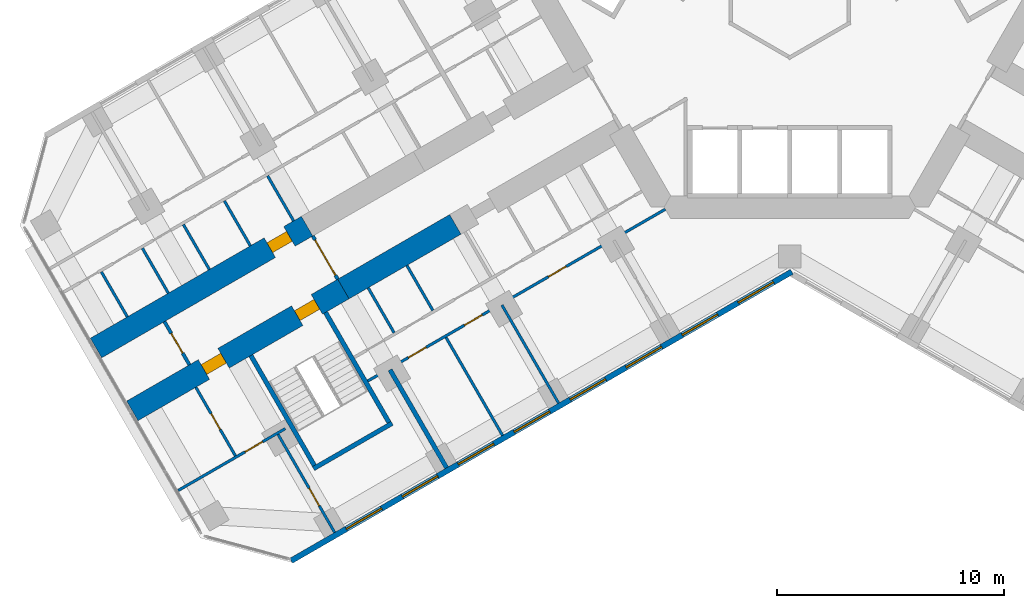
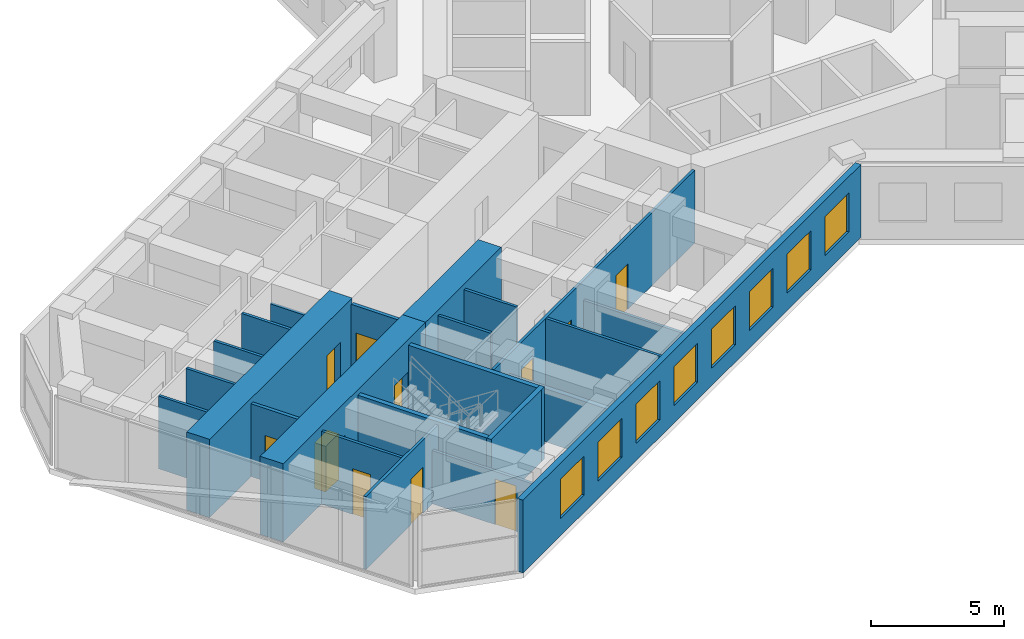
# One storey, part 10 of 21: 23 walls, 11 doors, 8 windows, 19 openings.
"""IFC4 building model written with IfcOpenShell, lengths in metres."""

from ifc_helpers import new_model, si_unit, direction, frame, frame_2d, origin, place, context, subcontext, project, spatial, rectangle, extrude, material, layer, layer_set, type_object, element, fill, save


model = new_model("IFC4")

# Units and contexts
model_context = context("Model", 3, precision=1e-05, world=origin(), true_north=direction((0.0, 1.0)))
body_context = subcontext(model_context, "Body", "Model", "MODEL_VIEW")
ifc_project = project(units=[si_unit("LENGTHUNIT", "METRE"), si_unit("AREAUNIT", "SQUARE_METRE"), si_unit("VOLUMEUNIT", "CUBIC_METRE"), si_unit("PLANEANGLEUNIT", "RADIAN"), si_unit("MASSUNIT", "GRAM", prefix="KILO")], contexts=[model_context])

# Site, building, storey
site_placement = place(None, origin())
site = spatial("IfcSite", under=ifc_project, at=site_placement, CompositionType="ELEMENT")
building_placement = place(site_placement, origin())
building = spatial("IfcBuilding", under=site, at=building_placement, Name="Kosmar Iwan School Tower", CompositionType="ELEMENT")
storey_placement = place(building_placement, frame((0.0, 0.0, 46.60009765625)))
storey = spatial("IfcBuildingStorey", under=building, at=storey_placement, Name="L10", CompositionType="ELEMENT", Elevation=46.60009765625)

# Wall
ifc_material_1 = material(Name="Concrete C50/60", Category="concrete")
ifc_layer_1 = layer(ifc_material_1, 1.0)
ifc_layer_set_1 = layer_set([ifc_layer_1], Name="Corridor buttress wall 1000")
wall_type_1 = type_object("IfcWallType", Name="Corridor buttress wall 1000", PredefinedType="SHEAR", material=ifc_layer_set_1)
wall_1_placement = place(storey_placement, frame((-14.7451171875, -10.360595703125, 0.0), z_axis=(0.0, 0.0, 1.0), x_axis=(-0.866015111908, -0.50001782563, 0.0)))
element("IfcWall", 1, at=wall_1_placement, inside=storey, type_object=wall_type_1, Name="Corridor wall BL bay 2", PredefinedType="SHEAR", context=body_context, shape_type="SweptSolid", body=[
    extrude(rectangle(XDim=5.699951171875, YDim=1.0, at=frame_2d((2.85009765625, 0.0))), origin(), (0.0, 0.0, 1.0), 3.599853515625),
])

# Wall, openings, doors
wall_2_placement = place(storey_placement, frame((-19.681396484375, -13.210693359375, 0.0), z_axis=(0.0, 0.0, 1.0), x_axis=(-0.866028186671, -0.499995179869, 0.0)))
wall_2 = element("IfcWall", 2, at=wall_2_placement, inside=storey, type_object=wall_type_1, Name="Corridor wall BL bay 3", PredefinedType="SHEAR", context=body_context, shape_type="SweptSolid", body=[
    extrude(rectangle(XDim=10.7451171875, YDim=1.0, at=frame_2d((5.37255859375, 0.0))), origin(), (0.0, 0.0, 1.0), 3.599853515625),
])
opening_1_placement = place(wall_2_placement, frame((6.10009765625, 0.0, 0.0)))
opening_1 = element("IfcOpeningElement", 3, at=opening_1_placement, cuts=wall_2, Name="Opening D1", PredefinedType="OPENING", context=body_context, shape_type="SweptSolid", body=[
    extrude(rectangle(XDim=1.0, YDim=2.10009765625, at=frame_2d((0.5, 1.050048828125))), frame((0.0, 0.511962890625, 0.0), z_axis=(0.0, -1.0, 0.0), x_axis=(1.0, 0.0, 0.0)), (0.0, 0.0, 1.0), 1.02392578125),
])
opening_2_placement = place(wall_2_placement, frame((1.35009765625, 0.0, 0.0)))
opening_2 = element("IfcOpeningElement", 4, at=opening_2_placement, cuts=wall_2, Name="Opening D6", PredefinedType="OPENING", context=body_context, shape_type="SweptSolid", body=[
    extrude(rectangle(XDim=1.0, YDim=2.10009765625, at=frame_2d((0.5, 1.050048828125))), frame((0.0, 0.511962890625, 0.0), z_axis=(0.0, -1.0, 0.0), x_axis=(1.0, 0.0, 0.0)), (0.0, 0.0, 1.0), 1.02392578125),
])
ifc_material_2 = material(Name="Timber fire door in steel frame", Category="steel")
door_type_1 = type_object("IfcDoorType", Name="Flat entrance door 1000x2100", OperationType="SINGLE_SWING_LEFT", PredefinedType="DOOR", material=ifc_material_2)
door_1_placement = place(opening_1_placement, origin())
door_1 = element("IfcDoor", 5, at=door_1_placement, inside=storey, type_object=door_type_1, Name="Flat L10-BL2 entrance door", OperationType="SINGLE_SWING_RIGHT", OverallHeight=2.10009765625, OverallWidth=1.0, PredefinedType="DOOR", context=body_context, shape_type="SweptSolid", body=[
    extrude(rectangle(XDim=1.0, YDim=2.10009765625, at=frame_2d((0.5, 1.050048828125))), frame((0.0, 0.25, 0.0), z_axis=(0.0, -1.0, 0.0), x_axis=(1.0, 0.0, 0.0)), (0.0, 0.0, 1.0), 0.5),
])
fill(opening_1, door_1)
ifc_material_3 = material(Name="Steel fire door", Category="steel")
door_type_2 = type_object("IfcDoorType", Name="Stair door 1000x2100", OperationType="SINGLE_SWING_LEFT", PredefinedType="DOOR", material=ifc_material_3)
door_2_placement = place(opening_2_placement, origin())
door_2 = element("IfcDoor", 6, at=door_2_placement, inside=storey, type_object=door_type_2, Name="Stair WS2 door L10", OperationType="SINGLE_SWING_LEFT", OverallHeight=2.10009765625, OverallWidth=1.0, PredefinedType="DOOR", context=body_context, shape_type="SweptSolid", body=[
    extrude(rectangle(XDim=1.0, YDim=2.10009765625, at=frame_2d((0.5, 1.050048828125))), frame((0.0, 0.25, 0.0), z_axis=(0.0, -1.0, 0.0), x_axis=(1.0, 0.0, 0.0)), (0.0, 0.0, 1.0), 0.5),
])
fill(opening_2, door_2)

# Wall, opening, door
wall_3_placement = place(storey_placement, frame((-21.281494140625, -10.439453125, 0.0), z_axis=(0.0, 0.0, 1.0), x_axis=(-0.866032345022, -0.499987977232, 0.0)))
wall_3 = element("IfcWall", 7, at=wall_3_placement, inside=storey, type_object=wall_type_1, Name="Corridor wall BR bay 3", PredefinedType="SHEAR", context=body_context, shape_type="SweptSolid", body=[
    extrude(rectangle(XDim=10.744873046875, YDim=1.0, at=frame_2d((5.37255859375, 0.0))), origin(), (0.0, 0.0, 1.0), 3.599853515625),
])
opening_3_placement = place(wall_3_placement, frame((0.89990234375, 0.0, 0.0)))
opening_3 = element("IfcOpeningElement", 8, at=opening_3_placement, cuts=wall_3, Name="Opening D1", PredefinedType="OPENING", context=body_context, shape_type="SweptSolid", body=[
    extrude(rectangle(XDim=1.0, YDim=2.10009765625, at=frame_2d((0.5, 1.050048828125))), frame((0.0, 0.511962890625, 0.0), z_axis=(0.0, -1.0, 0.0), x_axis=(1.0, 0.0, 0.0)), (0.0, 0.0, 1.0), 1.02392578125),
])
door_3_placement = place(opening_3_placement, origin())
door_3 = element("IfcDoor", 9, at=door_3_placement, inside=storey, type_object=door_type_1, Name="Flat L10-BR2 entrance door", OperationType="SINGLE_SWING_LEFT", OverallHeight=2.10009765625, OverallWidth=1.0, PredefinedType="DOOR", context=body_context, shape_type="SweptSolid", body=[
    extrude(rectangle(XDim=1.0, YDim=2.10009765625, at=frame_2d((0.5, 1.050048828125))), frame((0.0, 0.25, 0.0), z_axis=(0.0, -1.0, 0.0), x_axis=(1.0, 0.0, 0.0)), (0.0, 0.0, 1.0), 0.5),
])
fill(opening_3, door_3)

ifc_material_4 = material(Name="Gypsum board on steel studs, fire-rated", Category="steel")
ifc_layer_2 = layer(ifc_material_4, 0.14990234375)
ifc_layer_set_2 = layer_set([ifc_layer_2], Name="Corridor end wall 150")
wall_type_2 = type_object("IfcWallType", Name="Corridor end wall 150", PredefinedType="PARTITIONING", material=ifc_layer_set_2)
wall_4_placement = place(storey_placement, frame((-27.570068359375, -14.6474609375, 0.0), z_axis=(0.0, 0.0, 1.0), x_axis=(0.50002983664, -0.866008176907, 0.0)))
wall_4 = element("IfcWall", 10, at=wall_4_placement, inside=storey, type_object=wall_type_2, Name="Partition L10-B-CE", PredefinedType="PARTITIONING", context=body_context, shape_type="SweptSolid", body=[
    extrude(rectangle(XDim=2.199951171875, YDim=0.14990234375, at=frame_2d((1.10009765625, 0.0))), origin(), (0.0, 0.0, 1.0), 3.349853515625),
])
opening_4_placement = place(wall_4_placement, frame((0.60009765625, 0.0, 0.0)))
opening_4 = element("IfcOpeningElement", 11, at=opening_4_placement, cuts=wall_4, Name="Opening D13", PredefinedType="OPENING", context=body_context, shape_type="SweptSolid", body=[
    extrude(rectangle(XDim=1.0, YDim=2.10009765625, at=frame_2d((0.5, 1.050048828125))), frame((0.0, 0.0869140625, 0.0), z_axis=(0.0, -1.0, 0.0), x_axis=(1.0, 0.0, 0.0)), (0.0, 0.0, 1.0), 0.173828125),
])
ifc_material_5 = material(Name="Timber fire door with vision panel", Category="wood")
door_type_3 = type_object("IfcDoorType", Name="Corridor end door 1000x2100", OperationType="SINGLE_SWING_LEFT", PredefinedType="DOOR", material=ifc_material_5)
door_4_placement = place(opening_4_placement, origin())
door_4 = element("IfcDoor", 12, at=door_4_placement, inside=storey, type_object=door_type_3, Name="Children's play room door L10-B", OperationType="SINGLE_SWING_LEFT", OverallHeight=2.10009765625, OverallWidth=1.0, PredefinedType="DOOR", context=body_context, shape_type="SweptSolid", body=[
    extrude(rectangle(XDim=1.0, YDim=2.10009765625, at=frame_2d((0.5, 1.050048828125))), frame((0.0, 0.02490234375, 0.0), z_axis=(0.0, -1.0, 0.0), x_axis=(1.0, 0.0, 0.0)), (0.0, 0.0, 1.0), 0.050048828125),
])
fill(opening_4, door_4)

wall_5_placement = place(storey_placement, frame((-21.031494140625, -10.872314453125, 0.0), z_axis=(0.0, 0.0, 1.0), x_axis=(0.50002983664, -0.866008176907, 0.0)))
wall_5 = element("IfcWall", 13, at=wall_5_placement, inside=storey, type_object=wall_type_2, Name="Partition L10-B-HW", PredefinedType="PARTITIONING", context=body_context, shape_type="SweptSolid", body=[
    extrude(rectangle(XDim=2.199951171875, YDim=0.14990234375, at=frame_2d((1.10009765625, 0.0))), origin(), (0.0, 0.0, 1.0), 3.349853515625),
])
opening_5_placement = place(wall_5_placement, frame((0.199951171875, 0.0, 0.0)))
opening_5 = element("IfcOpeningElement", 14, at=opening_5_placement, cuts=wall_5, Name="Opening D9", PredefinedType="OPENING", context=body_context, shape_type="SweptSolid", body=[
    extrude(rectangle(XDim=1.800048828125, YDim=2.10009765625, at=frame_2d((0.89990234375, 1.050048828125))), frame((0.0, 0.0869140625, 0.0), z_axis=(0.0, -1.0, 0.0), x_axis=(1.0, 0.0, 0.0)), (0.0, 0.0, 1.0), 0.173828125),
])
ifc_material_6 = material(Name="Steel framed glazed smoke door", Category="steel")
door_type_4 = type_object("IfcDoorType", Name="Corridor smoke door pair 1800x2100", OperationType="DOUBLE_DOOR_DOUBLE_SWING", PredefinedType="DOOR", material=ifc_material_6)
door_5_placement = place(opening_5_placement, origin())
door_5 = element("IfcDoor", 15, at=door_5_placement, inside=storey, type_object=door_type_4, Name="Entrance vestibule smoke doors L10-B", OperationType="DOUBLE_DOOR_DOUBLE_SWING", OverallHeight=2.10009765625, OverallWidth=1.800048828125, PredefinedType="DOOR", context=body_context, shape_type="SweptSolid", body=[
    extrude(rectangle(XDim=1.800048828125, YDim=2.10009765625, at=frame_2d((0.89990234375, 1.050048828125))), frame((0.0, 0.02490234375, 0.0), z_axis=(0.0, -1.0, 0.0), x_axis=(1.0, 0.0, 0.0)), (0.0, 0.0, 1.0), 0.050048828125),
])
fill(opening_5, door_5)

# Wall, openings, doors
ifc_material_7 = material(Name="Gypsum board on steel studs", Category="steel")
ifc_layer_3 = layer(ifc_material_7, 0.1201171875)
ifc_layer_set_3 = layer_set([ifc_layer_3], Name="Dwelling partition 120")
wall_type_3 = type_object("IfcWallType", Name="Dwelling partition 120", PredefinedType="PARTITIONING", material=ifc_layer_set_3)
wall_6_placement = place(storey_placement, frame((-5.48876953125, -9.693115234375, 0.0), z_axis=(0.0, 0.0, 1.0), x_axis=(-0.866028061085, -0.499995397393, 0.0)))
wall_6 = element("IfcWall", 16, at=wall_6_placement, inside=storey, type_object=wall_type_3, Name="Partition L10-BL1-W2", PredefinedType="PARTITIONING", context=body_context, shape_type="SweptSolid", body=[
    extrude(rectangle(XDim=15.150146484375, YDim=0.1201171875, at=frame_2d((7.5751953125, 0.0))), origin(), (0.0, 0.0, 1.0), 3.349853515625),
])
opening_6_placement = place(wall_6_placement, frame((5.050048828125, 0.0, 0.0)))
opening_6 = element("IfcOpeningElement", 17, at=opening_6_placement, cuts=wall_6, Name="Opening D2", PredefinedType="OPENING", context=body_context, shape_type="SweptSolid", body=[
    extrude(rectangle(XDim=0.89990234375, YDim=2.10009765625, at=frame_2d((0.449951171875, 1.050048828125))), frame((0.0, 0.072021484375, 0.0), z_axis=(0.0, -1.0, 0.0), x_axis=(1.0, 0.0, 0.0)), (0.0, 0.0, 1.0), 0.14404296875),
])
opening_7_placement = place(wall_6_placement, frame((9.324951171875, 0.0, 0.0)))
opening_7 = element("IfcOpeningElement", 18, at=opening_7_placement, cuts=wall_6, Name="Opening D2", PredefinedType="OPENING", context=body_context, shape_type="SweptSolid", body=[
    extrude(rectangle(XDim=0.89990234375, YDim=2.10009765625, at=frame_2d((0.449951171875, 1.050048828125))), frame((0.0, 0.072021484375, 0.0), z_axis=(0.0, -1.0, 0.0), x_axis=(1.0, 0.0, 0.0)), (0.0, 0.0, 1.0), 0.14404296875),
])
opening_8_placement = place(wall_6_placement, frame((12.175048828125, 0.0, 0.0)))
opening_8 = element("IfcOpeningElement", 19, at=opening_8_placement, cuts=wall_6, Name="Opening D2", PredefinedType="OPENING", context=body_context, shape_type="SweptSolid", body=[
    extrude(rectangle(XDim=0.89990234375, YDim=2.10009765625, at=frame_2d((0.449951171875, 1.050048828125))), frame((0.0, 0.072021484375, 0.0), z_axis=(0.0, -1.0, 0.0), x_axis=(1.0, 0.0, 0.0)), (0.0, 0.0, 1.0), 0.14404296875),
])
ifc_material_8 = material(Name="Timber door in timber frame", Category="wood")
door_type_5 = type_object("IfcDoorType", Name="Internal door 900x2100", OperationType="SINGLE_SWING_LEFT", PredefinedType="DOOR", material=ifc_material_8)
door_6_placement = place(opening_6_placement, origin())
door_6 = element("IfcDoor", 20, at=door_6_placement, inside=storey, type_object=door_type_5, Name="Living room door L10-BL1-F2", OperationType="SINGLE_SWING_LEFT", OverallHeight=2.10009765625, OverallWidth=0.89990234375, PredefinedType="DOOR", context=body_context, shape_type="SweptSolid", body=[
    extrude(rectangle(XDim=0.89990234375, YDim=2.10009765625, at=frame_2d((0.449951171875, 1.050048828125))), frame((0.0, 0.02490234375, 0.0), z_axis=(0.0, -1.0, 0.0), x_axis=(1.0, 0.0, 0.0)), (0.0, 0.0, 1.0), 0.050048828125),
])
fill(opening_6, door_6)
door_7_placement = place(opening_7_placement, origin())
door_7 = element("IfcDoor", 21, at=door_7_placement, inside=storey, type_object=door_type_5, Name="Bedroom 1 door L10-BL1-F3", OperationType="SINGLE_SWING_RIGHT", OverallHeight=2.10009765625, OverallWidth=0.89990234375, PredefinedType="DOOR", context=body_context, shape_type="SweptSolid", body=[
    extrude(rectangle(XDim=0.89990234375, YDim=2.10009765625, at=frame_2d((0.449951171875, 1.050048828125))), frame((0.0, 0.02490234375, 0.0), z_axis=(0.0, -1.0, 0.0), x_axis=(1.0, 0.0, 0.0)), (0.0, 0.0, 1.0), 0.050048828125),
])
fill(opening_7, door_7)
door_8_placement = place(opening_8_placement, origin())
door_8 = element("IfcDoor", 22, at=door_8_placement, inside=storey, type_object=door_type_5, Name="Study door L10-BL1-F4", OperationType="SINGLE_SWING_LEFT", OverallHeight=2.10009765625, OverallWidth=0.89990234375, PredefinedType="DOOR", context=body_context, shape_type="SweptSolid", body=[
    extrude(rectangle(XDim=0.89990234375, YDim=2.10009765625, at=frame_2d((0.449951171875, 1.050048828125))), frame((0.0, 0.02490234375, 0.0), z_axis=(0.0, -1.0, 0.0), x_axis=(1.0, 0.0, 0.0)), (0.0, 0.0, 1.0), 0.050048828125),
])
fill(opening_8, door_8)

# Walls
wall_7_placement = place(storey_placement, frame((-12.690185546875, -13.919921875, 0.0), z_axis=(0.0, 0.0, 1.0), x_axis=(0.500011847778, -0.866018563358, 0.0)))
element("IfcWall", 23, at=wall_7_placement, inside=storey, type_object=wall_type_3, Name="Partition L10-BL1-X2", PredefinedType="PARTITIONING", context=body_context, shape_type="SweptSolid", body=[
    extrude(rectangle(XDim=4.990234375, YDim=0.1201171875, at=frame_2d((2.4951171875, 0.0))), origin(), (0.0, 0.0, 1.0), 2.449951171875),
])
wall_8_placement = place(storey_placement, frame((-15.158447265625, -15.344970703125, 0.0), z_axis=(0.0, 0.0, 1.0), x_axis=(0.500011847778, -0.866018563358, 0.0)))
element("IfcWall", 24, at=wall_8_placement, inside=storey, type_object=wall_type_3, Name="Partition L10-BL1-X3", PredefinedType="PARTITIONING", context=body_context, shape_type="SweptSolid", body=[
    extrude(rectangle(XDim=4.990234375, YDim=0.1201171875, at=frame_2d((2.4951171875, 0.0))), origin(), (0.0, 0.0, 1.0), 3.349853515625),
])
wall_9_placement = place(storey_placement, frame((-16.8828125, -12.172119140625, 0.0), z_axis=(0.0, 0.0, 1.0), x_axis=(0.499968531483, -0.866043571379, 0.0)))
element("IfcWall", 25, at=wall_9_placement, inside=storey, type_object=wall_type_3, Name="Partition L10-BL1-Y5", PredefinedType="PARTITIONING", context=body_context, shape_type="SweptSolid", body=[
    extrude(rectangle(XDim=2.290283203125, YDim=0.1201171875, at=frame_2d((1.14501953125, 0.0))), origin(), (0.0, 0.0, 1.0), 3.349853515625),
])
wall_10_placement = place(storey_placement, frame((-18.59033203125, -13.157958984375, 0.0), z_axis=(0.0, 0.0, 1.0), x_axis=(0.500014693593, -0.866016920268, 0.0)))
element("IfcWall", 26, at=wall_10_placement, inside=storey, type_object=wall_type_3, Name="Partition L10-BL1-Y6", PredefinedType="PARTITIONING", context=body_context, shape_type="SweptSolid", body=[
    extrude(rectangle(XDim=2.2900390625, YDim=0.1201171875, at=frame_2d((1.14501953125, 0.0))), origin(), (0.0, 0.0, 1.0), 3.349853515625),
])

# Wall, opening, door
wall_11_placement = place(storey_placement, frame((-22.562744140625, -19.6201171875, 0.0), z_axis=(0.0, 0.0, 1.0), x_axis=(0.499996339024, -0.86602751744, 0.0)))
wall_11 = element("IfcWall", 27, at=wall_11_placement, inside=storey, type_object=wall_type_3, Name="Partition L10-BL2-TX", PredefinedType="PARTITIONING", context=body_context, shape_type="SweptSolid", body=[
    extrude(rectangle(XDim=4.98974609375, YDim=0.1201171875, at=frame_2d((2.494873046875, 0.0))), origin(), (0.0, 0.0, 1.0), 2.449951171875),
])
opening_9_placement = place(wall_11_placement, frame((2.739990234375, 0.0, 0.0)))
opening_9 = element("IfcOpeningElement", 28, at=opening_9_placement, cuts=wall_11, Name="Opening D2", PredefinedType="OPENING", context=body_context, shape_type="SweptSolid", body=[
    extrude(rectangle(XDim=0.89990234375, YDim=2.10009765625, at=frame_2d((0.449951171875, 1.050048828125))), frame((0.0, 0.072021484375, 0.0), z_axis=(0.0, -1.0, 0.0), x_axis=(1.0, 0.0, 0.0)), (0.0, 0.0, 1.0), 0.14404296875),
])
door_9_placement = place(opening_9_placement, origin())
door_9 = element("IfcDoor", 29, at=door_9_placement, inside=storey, type_object=door_type_5, Name="Bedroom 1 door L10-BL2-T1", OperationType="SINGLE_SWING_RIGHT", OverallHeight=2.10009765625, OverallWidth=0.89990234375, PredefinedType="DOOR", context=body_context, shape_type="SweptSolid", body=[
    extrude(rectangle(XDim=0.89990234375, YDim=2.10009765625, at=frame_2d((0.449951171875, 1.050048828125))), frame((0.0, 0.02490234375, 0.0), z_axis=(0.0, -1.0, 0.0), x_axis=(1.0, 0.0, 0.0)), (0.0, 0.0, 1.0), 0.050048828125),
])
fill(opening_9, door_9)

wall_12_placement = place(storey_placement, frame((-22.246337890625, -19.3681640625, 0.0), z_axis=(0.0, 0.0, 1.0), x_axis=(-0.866035508231, -0.499982498177, 0.0)))
wall_12 = element("IfcWall", 30, at=wall_12_placement, inside=storey, type_object=wall_type_3, Name="Partition L10-BL2-TW", PredefinedType="PARTITIONING", context=body_context, shape_type="SweptSolid", body=[
    extrude(rectangle(XDim=5.445068359375, YDim=0.1201171875, at=frame_2d((2.72265625, 0.0))), origin(), (0.0, 0.0, 1.0), 3.349853515625),
])
opening_10_placement = place(wall_12_placement, frame((1.14990234375, 0.0, 0.0)))
opening_10 = element("IfcOpeningElement", 31, at=opening_10_placement, cuts=wall_12, Name="Opening D2", PredefinedType="OPENING", context=body_context, shape_type="SweptSolid", body=[
    extrude(rectangle(XDim=0.89990234375, YDim=2.10009765625, at=frame_2d((0.449951171875, 1.050048828125))), frame((0.0, 0.072021484375, 0.0), z_axis=(0.0, -1.0, 0.0), x_axis=(1.0, 0.0, 0.0)), (0.0, 0.0, 1.0), 0.14404296875),
])
door_10_placement = place(opening_10_placement, origin())
door_10 = element("IfcDoor", 32, at=door_10_placement, inside=storey, type_object=door_type_5, Name="Entrance hall door L10-BL2-T3", OperationType="SINGLE_SWING_LEFT", OverallHeight=2.10009765625, OverallWidth=0.89990234375, PredefinedType="DOOR", context=body_context, shape_type="SweptSolid", body=[
    extrude(rectangle(XDim=0.89990234375, YDim=2.10009765625, at=frame_2d((0.449951171875, 1.050048828125))), frame((0.0, 0.02490234375, 0.0), z_axis=(0.0, -1.0, 0.0), x_axis=(1.0, 0.0, 0.0)), (0.0, 0.0, 1.0), 0.050048828125),
])
fill(opening_10, door_10)

wall_13_placement = place(storey_placement, frame((-26.1865234375, -17.543701171875, 0.0), z_axis=(0.0, 0.0, 1.0), x_axis=(0.50002117804, -0.866013176292, 0.0)))
wall_13 = element("IfcWall", 33, at=wall_13_placement, inside=storey, type_object=wall_type_3, Name="Partition L10-BL2-TY", PredefinedType="PARTITIONING", context=body_context, shape_type="SweptSolid", body=[
    extrude(rectangle(XDim=3.489990234375, YDim=0.1201171875, at=frame_2d((1.7451171875, 0.0))), origin(), (0.0, 0.0, 1.0), 3.349853515625),
])
opening_11_placement = place(wall_13_placement, frame((1.344970703125, 0.0, 0.0)))
opening_11 = element("IfcOpeningElement", 34, at=opening_11_placement, cuts=wall_13, Name="Opening D3", PredefinedType="OPENING", context=body_context, shape_type="SweptSolid", body=[
    extrude(rectangle(XDim=0.800048828125, YDim=2.10009765625, at=frame_2d((0.39990234375, 1.050048828125))), frame((0.0, 0.072021484375, 0.0), z_axis=(0.0, -1.0, 0.0), x_axis=(1.0, 0.0, 0.0)), (0.0, 0.0, 1.0), 0.14404296875),
])
ifc_material_9 = material(Name="Timber door in timber frame", Category="wood")
door_type_6 = type_object("IfcDoorType", Name="Sanitary room door 800x2100", OperationType="SINGLE_SWING_LEFT", PredefinedType="DOOR", material=ifc_material_9)
door_11_placement = place(opening_11_placement, origin())
door_11 = element("IfcDoor", 35, at=door_11_placement, inside=storey, type_object=door_type_6, Name="Bathroom door L10-BL2-T4", OperationType="SINGLE_SWING_LEFT", OverallHeight=2.10009765625, OverallWidth=0.800048828125, PredefinedType="DOOR", context=body_context, shape_type="SweptSolid", body=[
    extrude(rectangle(XDim=0.800048828125, YDim=2.10009765625, at=frame_2d((0.39990234375, 1.050048828125))), frame((0.0, 0.02490234375, 0.0), z_axis=(0.0, -1.0, 0.0), x_axis=(1.0, 0.0, 0.0)), (0.0, 0.0, 1.0), 0.050048828125),
])
fill(opening_11, door_11)

# Walls
wall_14_placement = place(storey_placement, frame((-21.8779296875, -10.206298828125, 0.0), z_axis=(0.0, 0.0, 1.0), x_axis=(-0.500014693593, 0.866016920268, 0.0)))
element("IfcWall", 36, at=wall_14_placement, inside=storey, type_object=wall_type_3, Name="Partition L10-BR2-Y3", PredefinedType="PARTITIONING", context=body_context, shape_type="SweptSolid", body=[
    extrude(rectangle(XDim=2.2900390625, YDim=0.1201171875, at=frame_2d((1.14501953125, 0.0))), origin(), (0.0, 0.0, 1.0), 2.449951171875),
])
for number, where, z_axis, x_axis, name in (
    (37, (-23.783203125, -11.306396484375, 0.0), (0.0, 0.0, 1.0), (-0.500014693593, 0.866016920268, 0.0), "Partition L10-BR2-Y4"),
    (38, (-25.591064453125, -12.35009765625, 0.0), (0.0, 0.0, 1.0), (-0.500014693593, 0.866016920268, 0.0), "Partition L10-BR2-Y5"),
    (39, (-27.39892578125, -13.393798828125, 0.0), (0.0, 0.0, 1.0), (-0.500014693593, 0.866016920268, 0.0), "Partition L10-BR2-Y6"),
    (40, (-29.20654296875, -14.4375, 0.0), (0.0, 0.0, 1.0), (-0.500014693593, 0.866016920268, 0.0), "Partition L10-BR2-Y7"),
):
    element("IfcWall", number, at=place(storey_placement, frame(where, z_axis=z_axis, x_axis=x_axis)), inside=storey, type_object=wall_type_3, Name=name, PredefinedType="PARTITIONING", context=body_context, shape_type="SweptSolid", body=[
        extrude(rectangle(XDim=2.2900390625, YDim=0.1201171875, at=frame_2d((1.14501953125, 0.0))), origin(), (0.0, 0.0, 1.0), 3.349853515625),
    ])
ifc_material_10 = material(Name="Concrete C35/45", Category="concrete")
ifc_layer_4 = layer(ifc_material_10, 0.199951171875)
ifc_layer_set_4 = layer_set([ifc_layer_4], Name="Escape stair wall 200")
wall_type_4 = type_object("IfcWallType", Name="Escape stair wall 200", PredefinedType="SHEAR", material=ifc_layer_set_4)
for number, where, z_axis, x_axis, name in (
    (41, (-20.470703125, -14.24365234375, 0.0), (0.0, 0.0, 1.0), (0.499987231761, -0.866032775405, 0.0), "Stair WS2 wall"),
    (42, (-23.76171875, -16.1435546875, 0.0), (0.0, 0.0, 1.0), (0.500018801468, -0.86601454848, 0.0), "Stair WS2 wall"),
):
    element("IfcWall", number, at=place(storey_placement, frame(where, z_axis=z_axis, x_axis=x_axis)), inside=storey, type_object=wall_type_4, Name=name, PredefinedType="SHEAR", context=body_context, shape_type="SweptSolid", body=[
        extrude(rectangle(XDim=5.800048828125, YDim=0.199951171875, at=frame_2d((2.89990234375, 0.0))), origin(), (0.0, 0.0, 1.0), 3.329833984375),
    ])
wall_15_placement = place(storey_placement, frame((-17.5341796875, -19.1298828125, 0.0), z_axis=(0.0, 0.0, 1.0), x_axis=(-0.866026010844, -0.49999894854, 0.0)))
element("IfcWall", 43, at=wall_15_placement, inside=storey, type_object=wall_type_4, Name="Stair WS2 wall", PredefinedType="SHEAR", context=body_context, shape_type="SweptSolid", body=[
    extrude(rectangle(XDim=4.0, YDim=0.199951171875, at=frame_2d((2.0, 0.0))), origin(), (0.0, 0.0, 1.0), 3.329833984375),
])

# Wall, openings, windows
ifc_material_11 = material(Name="Black aluminium rainscreen on insulated framing", Category="aluminium")
ifc_layer_5 = layer(ifc_material_11, 0.25)
ifc_layer_set_5 = layer_set([ifc_layer_5], Name="External wall rainscreen 250")
wall_type_5 = type_object("IfcWallType", Name="External wall rainscreen 250", PredefinedType="SOLIDWALL", material=ifc_layer_set_5)
wall_16_placement = place(storey_placement, frame((0.088134765625, -12.44873046875, 0.0), z_axis=(0.0, 0.0, 1.0), x_axis=(-0.866026390279, -0.499998291337, 0.0)))
wall_16 = element("IfcWall", 44, at=wall_16_placement, inside=storey, type_object=wall_type_5, Name="External wall BL L10", PredefinedType="SOLIDWALL", context=body_context, shape_type="SweptSolid", body=[
    extrude(rectangle(XDim=25.4873046875, YDim=0.25, at=frame_2d((12.74365234375, 0.0))), origin(), (0.0, 0.0, 1.0), 3.349853515625),
])
opening_12_placement = place(wall_16_placement, frame((0.927001953125, 0.0, 0.800048828125)))
opening_12 = element("IfcOpeningElement", 45, at=opening_12_placement, cuts=wall_16, Name="Opening W1", PredefinedType="OPENING", context=body_context, shape_type="SweptSolid", body=[
    extrude(rectangle(XDim=1.800048828125, YDim=1.800048828125, at=frame_2d((0.89990234375, 0.89990234375))), frame((0.0, 0.136962890625, 0.0), z_axis=(0.0, -1.0, 0.0), x_axis=(1.0, 0.0, 0.0)), (0.0, 0.0, 1.0), 0.27392578125),
])
opening_13_placement = place(wall_16_placement, frame((3.777099609375, 0.0, 0.800048828125)))
opening_13 = element("IfcOpeningElement", 46, at=opening_13_placement, cuts=wall_16, Name="Opening W1", PredefinedType="OPENING", context=body_context, shape_type="SweptSolid", body=[
    extrude(rectangle(XDim=1.800048828125, YDim=1.800048828125, at=frame_2d((0.89990234375, 0.89990234375))), frame((0.0, 0.136962890625, 0.0), z_axis=(0.0, -1.0, 0.0), x_axis=(1.0, 0.0, 0.0)), (0.0, 0.0, 1.0), 0.27392578125),
])
opening_14_placement = place(wall_16_placement, frame((6.626953125, 0.0, 0.800048828125)))
opening_14 = element("IfcOpeningElement", 47, at=opening_14_placement, cuts=wall_16, Name="Opening W1", PredefinedType="OPENING", context=body_context, shape_type="SweptSolid", body=[
    extrude(rectangle(XDim=1.800048828125, YDim=1.800048828125, at=frame_2d((0.89990234375, 0.89990234375))), frame((0.0, 0.136962890625, 0.0), z_axis=(0.0, -1.0, 0.0), x_axis=(1.0, 0.0, 0.0)), (0.0, 0.0, 1.0), 0.27392578125),
])
opening_15_placement = place(wall_16_placement, frame((9.47705078125, 0.0, 0.800048828125)))
opening_15 = element("IfcOpeningElement", 48, at=opening_15_placement, cuts=wall_16, Name="Opening W1", PredefinedType="OPENING", context=body_context, shape_type="SweptSolid", body=[
    extrude(rectangle(XDim=1.800048828125, YDim=1.800048828125, at=frame_2d((0.89990234375, 0.89990234375))), frame((0.0, 0.136962890625, 0.0), z_axis=(0.0, -1.0, 0.0), x_axis=(1.0, 0.0, 0.0)), (0.0, 0.0, 1.0), 0.27392578125),
])
opening_16_placement = place(wall_16_placement, frame((12.326904296875, 0.0, 0.800048828125)))
opening_16 = element("IfcOpeningElement", 49, at=opening_16_placement, cuts=wall_16, Name="Opening W1", PredefinedType="OPENING", context=body_context, shape_type="SweptSolid", body=[
    extrude(rectangle(XDim=1.800048828125, YDim=1.800048828125, at=frame_2d((0.89990234375, 0.89990234375))), frame((0.0, 0.136962890625, 0.0), z_axis=(0.0, -1.0, 0.0), x_axis=(1.0, 0.0, 0.0)), (0.0, 0.0, 1.0), 0.27392578125),
])
opening_17_placement = place(wall_16_placement, frame((15.177001953125, 0.0, 0.800048828125)))
opening_17 = element("IfcOpeningElement", 50, at=opening_17_placement, cuts=wall_16, Name="Opening W1", PredefinedType="OPENING", context=body_context, shape_type="SweptSolid", body=[
    extrude(rectangle(XDim=1.800048828125, YDim=1.800048828125, at=frame_2d((0.89990234375, 0.89990234375))), frame((0.0, 0.136962890625, 0.0), z_axis=(0.0, -1.0, 0.0), x_axis=(1.0, 0.0, 0.0)), (0.0, 0.0, 1.0), 0.27392578125),
])
opening_18_placement = place(wall_16_placement, frame((18.027099609375, 0.0, 0.800048828125)))
opening_18 = element("IfcOpeningElement", 51, at=opening_18_placement, cuts=wall_16, Name="Opening W1", PredefinedType="OPENING", context=body_context, shape_type="SweptSolid", body=[
    extrude(rectangle(XDim=1.800048828125, YDim=1.800048828125, at=frame_2d((0.89990234375, 0.89990234375))), frame((0.0, 0.136962890625, 0.0), z_axis=(0.0, -1.0, 0.0), x_axis=(1.0, 0.0, 0.0)), (0.0, 0.0, 1.0), 0.27392578125),
])
opening_19_placement = place(wall_16_placement, frame((20.876953125, 0.0, 0.800048828125)))
opening_19 = element("IfcOpeningElement", 52, at=opening_19_placement, cuts=wall_16, Name="Opening W1", PredefinedType="OPENING", context=body_context, shape_type="SweptSolid", body=[
    extrude(rectangle(XDim=1.800048828125, YDim=1.800048828125, at=frame_2d((0.89990234375, 0.89990234375))), frame((0.0, 0.136962890625, 0.0), z_axis=(0.0, -1.0, 0.0), x_axis=(1.0, 0.0, 0.0)), (0.0, 0.0, 1.0), 0.27392578125),
])
ifc_material_12 = material(Name="Black aluminium frame with dark triple glazing", Category="aluminium")
window_type = type_object("IfcWindowType", Name="Window 1800x1800", PartitioningType="SINGLE_PANEL", PredefinedType="WINDOW", material=ifc_material_12)
window_1_placement = place(opening_12_placement, origin())
window_1 = element("IfcWindow", 53, at=window_1_placement, inside=storey, type_object=window_type, Name="Window BL L10 -1", OverallHeight=1.800048828125, OverallWidth=1.800048828125, PartitioningType="SINGLE_PANEL", PredefinedType="WINDOW", context=body_context, shape_type="SweptSolid", body=[
    extrude(rectangle(XDim=1.800048828125, YDim=1.800048828125, at=frame_2d((0.89990234375, 0.89990234375))), frame((0.0, 0.030029296875, 0.0), z_axis=(0.0, -1.0, 0.0), x_axis=(1.0, 0.0, 0.0)), (0.0, 0.0, 1.0), 0.06005859375),
])
fill(opening_12, window_1)
window_2_placement = place(opening_13_placement, origin())
window_2 = element("IfcWindow", 54, at=window_2_placement, inside=storey, type_object=window_type, Name="Window BL L10 0", OverallHeight=1.800048828125, OverallWidth=1.800048828125, PartitioningType="SINGLE_PANEL", PredefinedType="WINDOW", context=body_context, shape_type="SweptSolid", body=[
    extrude(rectangle(XDim=1.800048828125, YDim=1.800048828125, at=frame_2d((0.89990234375, 0.89990234375))), frame((0.0, 0.030029296875, 0.0), z_axis=(0.0, -1.0, 0.0), x_axis=(1.0, 0.0, 0.0)), (0.0, 0.0, 1.0), 0.06005859375),
])
fill(opening_13, window_2)
window_3_placement = place(opening_14_placement, origin())
window_3 = element("IfcWindow", 55, at=window_3_placement, inside=storey, type_object=window_type, Name="Window BL L10 1", OverallHeight=1.800048828125, OverallWidth=1.800048828125, PartitioningType="SINGLE_PANEL", PredefinedType="WINDOW", context=body_context, shape_type="SweptSolid", body=[
    extrude(rectangle(XDim=1.800048828125, YDim=1.800048828125, at=frame_2d((0.89990234375, 0.89990234375))), frame((0.0, 0.030029296875, 0.0), z_axis=(0.0, -1.0, 0.0), x_axis=(1.0, 0.0, 0.0)), (0.0, 0.0, 1.0), 0.06005859375),
])
fill(opening_14, window_3)
window_4_placement = place(opening_15_placement, origin())
window_4 = element("IfcWindow", 56, at=window_4_placement, inside=storey, type_object=window_type, Name="Window BL L10 2", OverallHeight=1.800048828125, OverallWidth=1.800048828125, PartitioningType="SINGLE_PANEL", PredefinedType="WINDOW", context=body_context, shape_type="SweptSolid", body=[
    extrude(rectangle(XDim=1.800048828125, YDim=1.800048828125, at=frame_2d((0.89990234375, 0.89990234375))), frame((0.0, 0.030029296875, 0.0), z_axis=(0.0, -1.0, 0.0), x_axis=(1.0, 0.0, 0.0)), (0.0, 0.0, 1.0), 0.06005859375),
])
fill(opening_15, window_4)
window_5_placement = place(opening_16_placement, origin())
window_5 = element("IfcWindow", 57, at=window_5_placement, inside=storey, type_object=window_type, Name="Window BL L10 3", OverallHeight=1.800048828125, OverallWidth=1.800048828125, PartitioningType="SINGLE_PANEL", PredefinedType="WINDOW", context=body_context, shape_type="SweptSolid", body=[
    extrude(rectangle(XDim=1.800048828125, YDim=1.800048828125, at=frame_2d((0.89990234375, 0.89990234375))), frame((0.0, 0.030029296875, 0.0), z_axis=(0.0, -1.0, 0.0), x_axis=(1.0, 0.0, 0.0)), (0.0, 0.0, 1.0), 0.06005859375),
])
fill(opening_16, window_5)
window_6_placement = place(opening_17_placement, origin())
window_6 = element("IfcWindow", 58, at=window_6_placement, inside=storey, type_object=window_type, Name="Window BL L10 4", OverallHeight=1.800048828125, OverallWidth=1.800048828125, PartitioningType="SINGLE_PANEL", PredefinedType="WINDOW", context=body_context, shape_type="SweptSolid", body=[
    extrude(rectangle(XDim=1.800048828125, YDim=1.800048828125, at=frame_2d((0.89990234375, 0.89990234375))), frame((0.0, 0.030029296875, 0.0), z_axis=(0.0, -1.0, 0.0), x_axis=(1.0, 0.0, 0.0)), (0.0, 0.0, 1.0), 0.06005859375),
])
fill(opening_17, window_6)
window_7_placement = place(opening_18_placement, origin())
window_7 = element("IfcWindow", 59, at=window_7_placement, inside=storey, type_object=window_type, Name="Window BL L10 5", OverallHeight=1.800048828125, OverallWidth=1.800048828125, PartitioningType="SINGLE_PANEL", PredefinedType="WINDOW", context=body_context, shape_type="SweptSolid", body=[
    extrude(rectangle(XDim=1.800048828125, YDim=1.800048828125, at=frame_2d((0.89990234375, 0.89990234375))), frame((0.0, 0.030029296875, 0.0), z_axis=(0.0, -1.0, 0.0), x_axis=(1.0, 0.0, 0.0)), (0.0, 0.0, 1.0), 0.06005859375),
])
fill(opening_18, window_7)
window_8_placement = place(opening_19_placement, origin())
window_8 = element("IfcWindow", 60, at=window_8_placement, inside=storey, type_object=window_type, Name="Window BL L10 6", OverallHeight=1.800048828125, OverallWidth=1.800048828125, PartitioningType="SINGLE_PANEL", PredefinedType="WINDOW", context=body_context, shape_type="SweptSolid", body=[
    extrude(rectangle(XDim=1.800048828125, YDim=1.800048828125, at=frame_2d((0.89990234375, 0.89990234375))), frame((0.0, 0.030029296875, 0.0), z_axis=(0.0, -1.0, 0.0), x_axis=(1.0, 0.0, 0.0)), (0.0, 0.0, 1.0), 0.06005859375),
])
fill(opening_19, window_8)

# Wall
ifc_material_13 = material(Name="Concrete block masonry", Category="masonry")
ifc_layer_6 = layer(ifc_material_13, 0.199951171875)
ifc_layer_set_6 = layer_set([ifc_layer_6], Name="Party wall 200")
wall_type_6 = type_object("IfcWallType", Name="Party wall 200", PredefinedType="PARTITIONING", material=ifc_layer_set_6)
wall_17_placement = place(storey_placement, frame((-17.62646484375, -16.77001953125, 0.0), z_axis=(0.0, 0.0, 1.0), x_axis=(0.499975153383, -0.86603974851, 0.0)))
element("IfcWall", 61, at=wall_17_placement, inside=storey, type_object=wall_type_6, Name="Partition L10-BL2-TB", PredefinedType="PARTITIONING", context=body_context, shape_type="SweptSolid", body=[
    extrude(rectangle(XDim=4.989990234375, YDim=0.199951171875, at=frame_2d((2.4951171875, 0.0))), origin(), (0.0, 0.0, 1.0), 2.449951171875),
])

save(model, "model.ifc")
